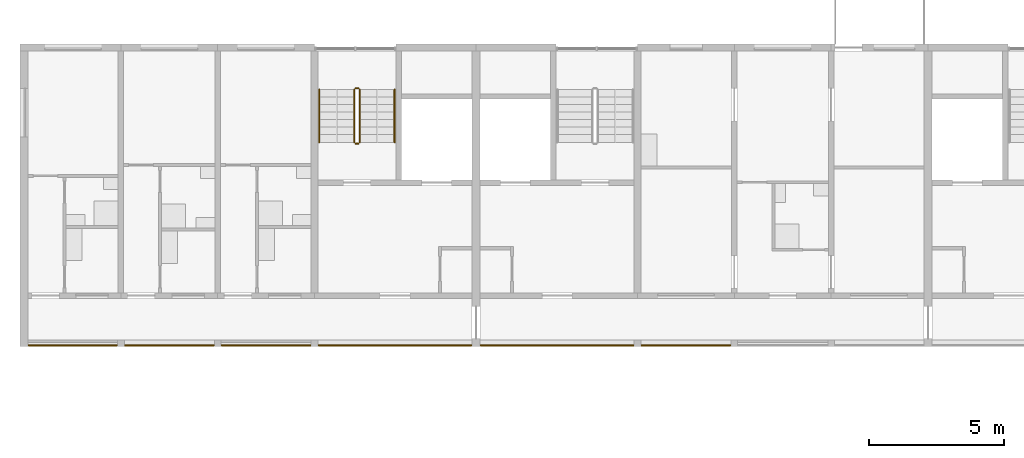
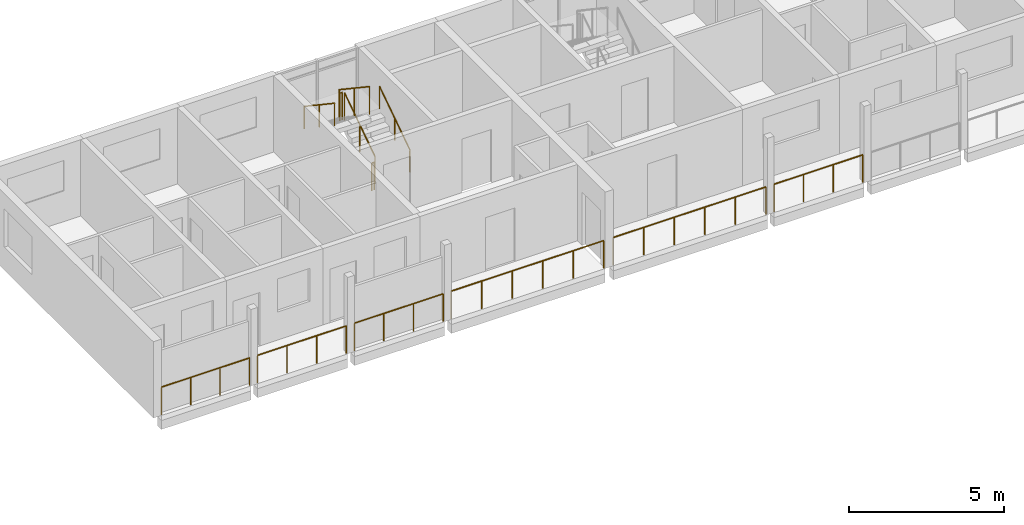
# One storey, part 79 of 98: 12 railings.
"""IFC4 building model written with IfcOpenShell, lengths in metres."""

from ifc_helpers import new_model, si_unit, direction, frame, origin, origin_2d, place, context, subcontext, project, spatial, circle, extrude, material, type_object, element, save


model = new_model("IFC4")

# Units and contexts
model_context = context("Model", 3, precision=1e-05, world=origin(), true_north=direction((0.0, 1.0)))
body_context = subcontext(model_context, "Body", "Model", "MODEL_VIEW")
ifc_project = project(units=[si_unit("LENGTHUNIT", "METRE"), si_unit("AREAUNIT", "SQUARE_METRE"), si_unit("VOLUMEUNIT", "CUBIC_METRE"), si_unit("PLANEANGLEUNIT", "RADIAN"), si_unit("MASSUNIT", "GRAM", prefix="KILO")], contexts=[model_context])

# Site, building, storey
site_placement = place(None, origin())
site = spatial("IfcSite", under=ifc_project, at=site_placement, CompositionType="ELEMENT")
building_placement = place(site_placement, origin())
building = spatial("IfcBuilding", under=site, at=building_placement, Name="Ridgestep Commons", CompositionType="ELEMENT")
storey_placement = place(building_placement, frame((0.0, 0.0, 12.0)))
storey = spatial("IfcBuildingStorey", under=building, at=storey_placement, Name="L04", CompositionType="ELEMENT", Elevation=12.0)

# Railings
ifc_material_1 = material(Name="Structural steel S355JR", Category="steel")
railing_type_1 = type_object("IfcRailingType", Name="Guard 1100", PredefinedType="GUARDRAIL", material=ifc_material_1)
railing_1_placement = place(storey_placement, frame((12.1708984375, 66.050048828125, 0.0)))
element("IfcRailing", 1, at=railing_1_placement, inside=storey, type_object=railing_type_1, Name="Gallery guard B 04.1", PredefinedType="GUARDRAIL", context=body_context, shape_type="SweptSolid", body=[
    extrude(circle(Radius=0.02392578125, at=origin_2d()), frame((0.0, 0.0, 1.076171875), z_axis=(1.0, 0.0, 0.0), x_axis=(0.0, 1.0, 0.0)), (0.0, 0.0, 1.0), 3.283203125),
    extrude(circle(Radius=0.02099609375, at=origin_2d()), origin(), (0.0, 0.0, 1.0), 1.052001953125),
    extrude(circle(Radius=0.02099609375, at=origin_2d()), frame((1.094482421875, 0.0, 0.0)), (0.0, 0.0, 1.0), 1.052001953125),
    extrude(circle(Radius=0.02099609375, at=origin_2d()), frame((2.188720703125, 0.0, 0.0)), (0.0, 0.0, 1.0), 1.052001953125),
    extrude(circle(Radius=0.02099609375, at=origin_2d()), frame((3.283203125, 0.0, 0.0)), (0.0, 0.0, 1.0), 1.052001953125),
])
railing_2_placement = place(storey_placement, frame((15.74609375, 66.050048828125, 0.0)))
element("IfcRailing", 2, at=railing_2_placement, inside=storey, type_object=railing_type_1, Name="Gallery guard B 04.2", PredefinedType="GUARDRAIL", context=body_context, shape_type="SweptSolid", body=[
    extrude(circle(Radius=0.02392578125, at=origin_2d()), frame((0.0, 0.0, 1.076171875), z_axis=(1.0, 0.0, 0.0), x_axis=(0.0, 1.0, 0.0)), (0.0, 0.0, 1.0), 3.307861328125),
    extrude(circle(Radius=0.02099609375, at=origin_2d()), origin(), (0.0, 0.0, 1.0), 1.052001953125),
    extrude(circle(Radius=0.02099609375, at=origin_2d()), frame((1.1025390625, 0.0, 0.0)), (0.0, 0.0, 1.0), 1.052001953125),
    extrude(circle(Radius=0.02099609375, at=origin_2d()), frame((2.205322265625, 0.0, 0.0)), (0.0, 0.0, 1.0), 1.052001953125),
    extrude(circle(Radius=0.02099609375, at=origin_2d()), frame((3.307861328125, 0.0, 0.0)), (0.0, 0.0, 1.0), 1.052001953125),
])
railing_3_placement = place(storey_placement, frame((19.345947265625, 66.050048828125, 0.0)))
element("IfcRailing", 3, at=railing_3_placement, inside=storey, type_object=railing_type_1, Name="Gallery guard B 04.3", PredefinedType="GUARDRAIL", context=body_context, shape_type="SweptSolid", body=[
    extrude(circle(Radius=0.02392578125, at=origin_2d()), frame((0.0, 0.0, 1.076171875), z_axis=(1.0, 0.0, 0.0), x_axis=(0.0, 1.0, 0.0)), (0.0, 0.0, 1.0), 3.30810546875),
    extrude(circle(Radius=0.02099609375, at=origin_2d()), origin(), (0.0, 0.0, 1.0), 1.052001953125),
    extrude(circle(Radius=0.02099609375, at=origin_2d()), frame((1.102783203125, 0.0, 0.0)), (0.0, 0.0, 1.0), 1.052001953125),
    extrude(circle(Radius=0.02099609375, at=origin_2d()), frame((2.205322265625, 0.0, 0.0)), (0.0, 0.0, 1.0), 1.052001953125),
    extrude(circle(Radius=0.02099609375, at=origin_2d()), frame((3.30810546875, 0.0, 0.0)), (0.0, 0.0, 1.0), 1.052001953125),
])
railing_4_placement = place(storey_placement, frame((22.946044921875, 66.050048828125, 0.0)))
element("IfcRailing", 4, at=railing_4_placement, inside=storey, type_object=railing_type_1, Name="Gallery guard B 04.4", PredefinedType="GUARDRAIL", context=body_context, shape_type="SweptSolid", body=[
    extrude(circle(Radius=0.02392578125, at=origin_2d()), frame((0.0, 0.0, 1.076171875), z_axis=(1.0, 0.0, 0.0), x_axis=(0.0, 1.0, 0.0)), (0.0, 0.0, 1.0), 5.682861328125),
    extrude(circle(Radius=0.02099609375, at=origin_2d()), origin(), (0.0, 0.0, 1.0), 1.052001953125),
    extrude(circle(Radius=0.02099609375, at=origin_2d()), frame((1.136474609375, 0.0, 0.0)), (0.0, 0.0, 1.0), 1.052001953125),
    extrude(circle(Radius=0.02099609375, at=origin_2d()), frame((2.273193359375, 0.0, 0.0)), (0.0, 0.0, 1.0), 1.052001953125),
    extrude(circle(Radius=0.02099609375, at=origin_2d()), frame((3.40966796875, 0.0, 0.0)), (0.0, 0.0, 1.0), 1.052001953125),
    extrude(circle(Radius=0.02099609375, at=origin_2d()), frame((4.54638671875, 0.0, 0.0)), (0.0, 0.0, 1.0), 1.052001953125),
    extrude(circle(Radius=0.02099609375, at=origin_2d()), frame((5.682861328125, 0.0, 0.0)), (0.0, 0.0, 1.0), 1.052001953125),
])
railing_5_placement = place(storey_placement, frame((28.970947265625, 66.050048828125, 0.0)))
element("IfcRailing", 5, at=railing_5_placement, inside=storey, type_object=railing_type_1, Name="Gallery guard B 04.5", PredefinedType="GUARDRAIL", context=body_context, shape_type="SweptSolid", body=[
    extrude(circle(Radius=0.02392578125, at=origin_2d()), frame((0.0, 0.0, 1.076171875), z_axis=(1.0, 0.0, 0.0), x_axis=(0.0, 1.0, 0.0)), (0.0, 0.0, 1.0), 5.68310546875),
    extrude(circle(Radius=0.02099609375, at=origin_2d()), origin(), (0.0, 0.0, 1.0), 1.052001953125),
    extrude(circle(Radius=0.02099609375, at=origin_2d()), frame((1.13671875, 0.0, 0.0)), (0.0, 0.0, 1.0), 1.052001953125),
    extrude(circle(Radius=0.02099609375, at=origin_2d()), frame((2.273193359375, 0.0, 0.0)), (0.0, 0.0, 1.0), 1.052001953125),
    extrude(circle(Radius=0.02099609375, at=origin_2d()), frame((3.409912109375, 0.0, 0.0)), (0.0, 0.0, 1.0), 1.052001953125),
    extrude(circle(Radius=0.02099609375, at=origin_2d()), frame((4.54638671875, 0.0, 0.0)), (0.0, 0.0, 1.0), 1.052001953125),
    extrude(circle(Radius=0.02099609375, at=origin_2d()), frame((5.68310546875, 0.0, 0.0)), (0.0, 0.0, 1.0), 1.052001953125),
])
railing_6_placement = place(storey_placement, frame((34.946044921875, 66.050048828125, 0.0)))
element("IfcRailing", 6, at=railing_6_placement, inside=storey, type_object=railing_type_1, Name="Gallery guard B 04.6", PredefinedType="GUARDRAIL", context=body_context, shape_type="SweptSolid", body=[
    extrude(circle(Radius=0.02392578125, at=origin_2d()), frame((0.0, 0.0, 1.076171875), z_axis=(1.0, 0.0, 0.0), x_axis=(0.0, 1.0, 0.0)), (0.0, 0.0, 1.0), 3.307861328125),
    extrude(circle(Radius=0.02099609375, at=origin_2d()), origin(), (0.0, 0.0, 1.0), 1.052001953125),
    extrude(circle(Radius=0.02099609375, at=origin_2d()), frame((1.1025390625, 0.0, 0.0)), (0.0, 0.0, 1.0), 1.052001953125),
    extrude(circle(Radius=0.02099609375, at=origin_2d()), frame((2.205322265625, 0.0, 0.0)), (0.0, 0.0, 1.0), 1.052001953125),
    extrude(circle(Radius=0.02099609375, at=origin_2d()), frame((3.307861328125, 0.0, 0.0)), (0.0, 0.0, 1.0), 1.052001953125),
])
ifc_material_2 = material(Name="Structural steel S355JR", Category="steel")
railing_type_2 = type_object("IfcRailingType", Name="Stair guard 1100", PredefinedType="GUARDRAIL", material=ifc_material_2)
railing_7_placement = place(storey_placement, frame((24.47509765625, 73.60009765625, 0.1875)))
element("IfcRailing", 7, at=railing_7_placement, inside=storey, type_object=railing_type_2, Name="L04 B1C stair guard 1", PredefinedType="GUARDRAIL", context=body_context, shape_type="SweptSolid", body=[
    extrude(circle(Radius=0.02392578125, at=origin_2d()), frame((0.0, 0.0, 1.076171875), z_axis=(0.0, 0.830902050051, 0.556418712142), x_axis=(-1.0, 0.0, 0.0)), (0.0, 0.0, 1.0), 2.35888671875),
    extrude(circle(Radius=0.02099609375, at=origin_2d()), origin(), (0.0, 0.0, 1.0), 1.052001953125),
    extrude(circle(Radius=0.02099609375, at=origin_2d()), frame((0.0, 0.97998046875, 0.65625)), (0.0, 0.0, 1.0), 1.052001953125),
    extrude(circle(Radius=0.02099609375, at=origin_2d()), frame((0.0, 1.9599609375, 1.3125)), (0.0, 0.0, 1.0), 1.052001953125),
])
railing_8_placement = place(storey_placement, frame((24.425048828125, 75.610107421875, 1.5)))
element("IfcRailing", 8, at=railing_8_placement, inside=storey, type_object=railing_type_2, Name="L04 B1C stair guard 2", PredefinedType="GUARDRAIL", context=body_context, shape_type="SweptSolid", body=[
    extrude(circle(Radius=0.02392578125, at=origin_2d()), frame((0.0, 0.0, 1.076171875), z_axis=(-1.0, 0.0, 0.0), x_axis=(0.0, -1.0, 0.0)), (0.0, 0.0, 1.0), 0.10009765625),
    extrude(circle(Radius=0.02099609375, at=origin_2d()), origin(), (0.0, 0.0, 1.0), 1.052001953125),
    extrude(circle(Radius=0.02099609375, at=origin_2d()), frame((-0.10009765625, 0.0, 0.0)), (0.0, 0.0, 1.0), 1.052001953125),
])
railing_9_placement = place(storey_placement, frame((24.27490234375, 75.56005859375, 1.6875)))
element("IfcRailing", 9, at=railing_9_placement, inside=storey, type_object=railing_type_2, Name="L04 B1C stair guard 3", PredefinedType="GUARDRAIL", context=body_context, shape_type="SweptSolid", body=[
    extrude(circle(Radius=0.02392578125, at=origin_2d()), frame((0.0, 0.0, 1.076171875), z_axis=(0.0, -0.830902050051, 0.556418712142), x_axis=(1.0, 0.0, 0.0)), (0.0, 0.0, 1.0), 2.35888671875),
    extrude(circle(Radius=0.02099609375, at=origin_2d()), origin(), (0.0, 0.0, 1.0), 1.052001953125),
    extrude(circle(Radius=0.02099609375, at=origin_2d()), frame((0.0, -0.97998046875, 0.65625)), (0.0, 0.0, 1.0), 1.052001953125),
    extrude(circle(Radius=0.02099609375, at=origin_2d()), frame((0.0, -1.9599609375, 1.3125)), (0.0, 0.0, 1.0), 1.052001953125),
])
railing_10_placement = place(storey_placement, frame((24.425048828125, 73.550048828125, 0.0)))
element("IfcRailing", 10, at=railing_10_placement, inside=storey, type_object=railing_type_2, Name="L04 B1C stair guard 4", PredefinedType="GUARDRAIL", context=body_context, shape_type="SweptSolid", body=[
    extrude(circle(Radius=0.02392578125, at=origin_2d()), frame((0.0, 0.0, 1.076171875), z_axis=(-1.0, 0.0, 0.0), x_axis=(0.0, -1.0, 0.0)), (0.0, 0.0, 1.0), 0.10009765625),
    extrude(circle(Radius=0.02099609375, at=origin_2d()), origin(), (0.0, 0.0, 1.0), 1.052001953125),
    extrude(circle(Radius=0.02099609375, at=origin_2d()), frame((-0.10009765625, 0.0, 0.0)), (0.0, 0.0, 1.0), 1.052001953125),
])
ifc_material_3 = material(Name="Structural steel S355JR", Category="steel")
railing_type_3 = type_object("IfcRailingType", Name="Stair handrail 900", PredefinedType="HANDRAIL", material=ifc_material_3)
railing_11_placement = place(storey_placement, frame((25.77490234375, 73.60009765625, 0.1875)))
element("IfcRailing", 11, at=railing_11_placement, inside=storey, type_object=railing_type_3, Name="L04 B1C stair handrail 1", PredefinedType="HANDRAIL", context=body_context, shape_type="SweptSolid", body=[
    extrude(circle(Radius=0.02392578125, at=origin_2d()), frame((0.0, 0.0, 0.8759765625), z_axis=(0.0, 0.830902050051, 0.556418712142), x_axis=(-1.0, 0.0, 0.0)), (0.0, 0.0, 1.0), 2.35888671875),
    extrude(circle(Radius=0.02099609375, at=origin_2d()), origin(), (0.0, 0.0, 1.0), 0.851806640625),
    extrude(circle(Radius=0.02099609375, at=origin_2d()), frame((0.0, 0.97998046875, 0.65625)), (0.0, 0.0, 1.0), 0.851806640625),
    extrude(circle(Radius=0.02099609375, at=origin_2d()), frame((0.0, 1.9599609375, 1.3125)), (0.0, 0.0, 1.0), 0.851806640625),
])
railing_12_placement = place(storey_placement, frame((22.97509765625, 75.56005859375, 1.6875)))
element("IfcRailing", 12, at=railing_12_placement, inside=storey, type_object=railing_type_3, Name="L04 B1C stair handrail 2", PredefinedType="HANDRAIL", context=body_context, shape_type="SweptSolid", body=[
    extrude(circle(Radius=0.02392578125, at=origin_2d()), frame((0.0, 0.0, 0.8759765625), z_axis=(0.0, -0.830902050051, 0.556418712142), x_axis=(1.0, 0.0, 0.0)), (0.0, 0.0, 1.0), 2.35888671875),
    extrude(circle(Radius=0.02099609375, at=origin_2d()), origin(), (0.0, 0.0, 1.0), 0.851806640625),
    extrude(circle(Radius=0.02099609375, at=origin_2d()), frame((0.0, -0.97998046875, 0.65625)), (0.0, 0.0, 1.0), 0.851806640625),
    extrude(circle(Radius=0.02099609375, at=origin_2d()), frame((0.0, -1.9599609375, 1.3125)), (0.0, 0.0, 1.0), 0.851806640625),
])

save(model, "model.ifc")
